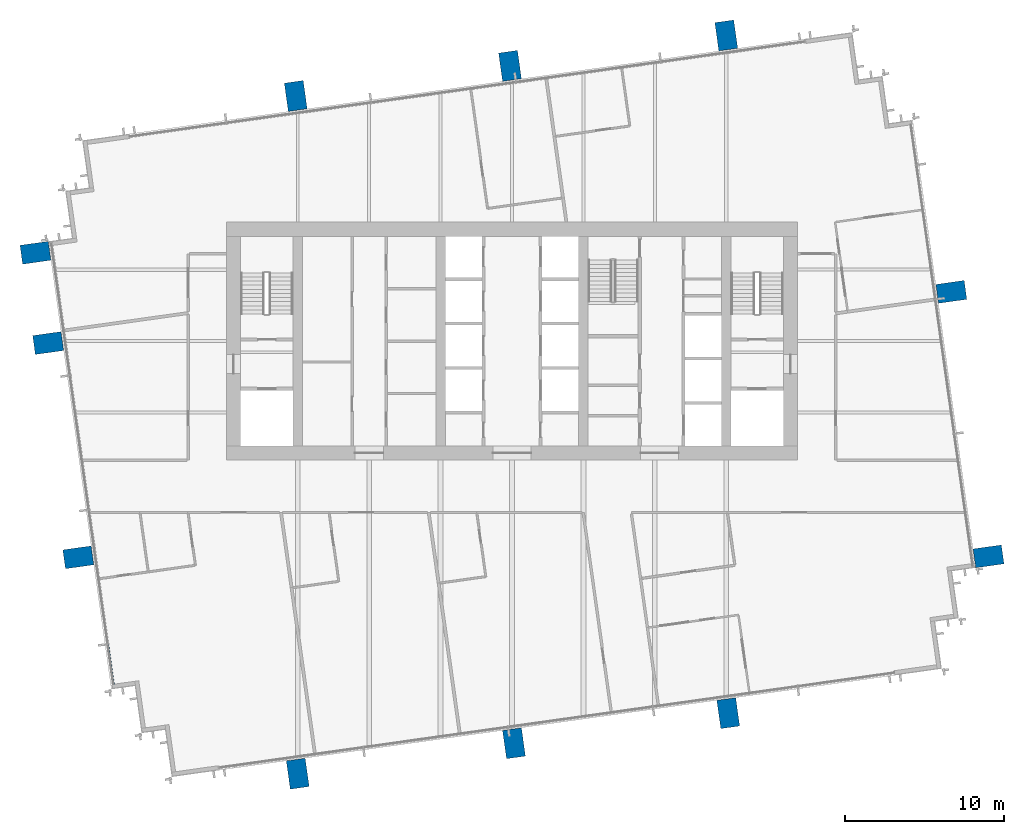
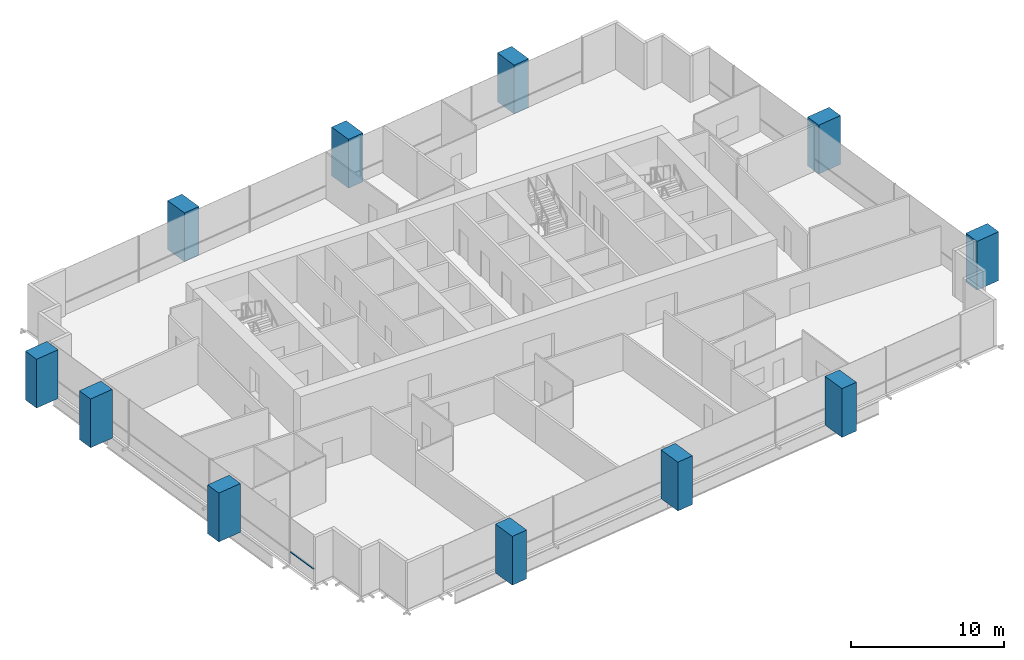
# One storey, part 1 of 14: 11 columns, 1 member, 1 element without a shape of its own.
"""IFC4 building model written with IfcOpenShell, lengths in metres."""

from ifc_helpers import new_model, si_unit, direction, frame, origin, origin_2d, place, context, subcontext, project, spatial, rectangle, extrude, material, material_profile, profile_set, type_object, element, aggregate, save


model = new_model("IFC4")

# Units and contexts
model_context = context("Model", 3, precision=1e-05, world=origin(), true_north=direction((0.0, 1.0)))
body_context = subcontext(model_context, "Body", "Model", "MODEL_VIEW")
ifc_project = project(units=[si_unit("LENGTHUNIT", "METRE"), si_unit("AREAUNIT", "SQUARE_METRE"), si_unit("VOLUMEUNIT", "CUBIC_METRE"), si_unit("PLANEANGLEUNIT", "RADIAN"), si_unit("MASSUNIT", "GRAM", prefix="KILO")], contexts=[model_context])

# Site, building, storey
site_placement = place(None, origin())
site = spatial("IfcSite", under=ifc_project, at=site_placement, CompositionType="ELEMENT")
building_placement = place(site_placement, origin())
building = spatial("IfcBuilding", under=site, at=building_placement, Name="Rattan Terrace Tower", CompositionType="ELEMENT")
storey_placement = place(building_placement, frame((0.0, 0.0, 195.800048828125)))
storey = spatial("IfcBuildingStorey", under=building, at=storey_placement, Name="L45", CompositionType="ELEMENT", Elevation=195.800048828125)

# Columns
ifc_material_1 = material(Name="Concrete C50/60", Category="concrete")
ifc_material_profile_1 = material_profile(ifc_material_1, rectangle(XDim=1.199951171875, YDim=1.800048828125, at=origin_2d()), Name="CFT 1800x1200")
ifc_profile_set_1 = profile_set([ifc_material_profile_1], Name="Concrete C50/60")
column_type = type_object("IfcColumnType", Name="Frame exoskeleton column CFT 1800x1200", PredefinedType="COLUMN", material=ifc_profile_set_1)
for number, where, z_axis, x_axis, name in (
    (1, (-13.5, -27.256103515625, -0.199951171875), (0.0, 0.0, 1.0), (0.99027049762, 0.139155817501, 0.0), "exo-L45-001"),
    (2, (0.125, -25.340087890625, -0.199951171875), (0.0, 0.0, 1.0), (0.99027049762, 0.139155817501, 0.0), "exo-L45-002"),
    (3, (13.625, -23.443115234375, -0.199951171875), (0.0, 0.0, 1.0), (0.99027049762, 0.139155817501, 0.0), "exo-L45-003"),
    (4, (-27.325927734375, -13.625, -0.199951171875), (0.0, 0.0, 1.0), (-0.139190384377, 0.990265639562, 0.0), "exo-L45-004"),
    (5, (30.02392578125, -13.56494140625, -0.199951171875), (0.0, 0.0, 1.0), (-0.139190384377, 0.990265639562, 0.0), "exo-L45-005"),
    (6, (-29.22412109375, -0.125, -0.199951171875), (0.0, 0.0, 1.0), (-0.139190384377, 0.990265639562, 0.0), "exo-L45-006"),
    (7, (27.680908203125, 3.10009765625, -0.199951171875), (0.0, 0.0, 1.0), (-0.139190384377, 0.990265639562, 0.0), "exo-L45-007"),
    (8, (-30.02392578125, 5.56494140625, -0.199951171875), (0.0, 0.0, 1.0), (-0.139190384377, 0.990265639562, 0.0), "exo-L45-008"),
    (9, (-13.625, 15.443115234375, -0.199951171875), (0.0, 0.0, 1.0), (0.99027049762, 0.139155817501, 0.0), "exo-L45-009"),
    (10, (-0.125, 17.340087890625, -0.199951171875), (0.0, 0.0, 1.0), (0.99027049762, 0.139155817501, 0.0), "exo-L45-010"),
    (11, (13.5, 19.256103515625, -0.199951171875), (0.0, 0.0, 1.0), (0.99027049762, 0.139155817501, 0.0), "exo-L45-011"),
):
    element("IfcColumn", number, at=place(storey_placement, frame(where, z_axis=z_axis, x_axis=x_axis)), inside=storey, type_object=column_type, Name=name, PredefinedType="COLUMN", context=body_context, shape_type="SweptSolid", body=[
        extrude(rectangle(XDim=1.199951171875, YDim=1.800048828125, at=origin_2d()), origin(), (0.0, 0.0, 1.0), 3.89990234375),
    ])

# Curtain wall, member
ifc_material_2 = material(Name="Aluminium and glass", Category="aluminium")
curtain_wall_type = type_object("IfcCurtainWallType", Name="Facade Unitised Curtain Wall", PredefinedType="NOTDEFINED", material=ifc_material_2)
curtain_wall_placement = place(storey_placement, origin())
curtain_wall = element("IfcCurtainWall", 12, at=curtain_wall_placement, inside=storey, type_object=curtain_wall_type, Name="Curtain wall L45-3", PredefinedType="NOTDEFINED")
ifc_material_3 = material(Name="Aluminium", Category="aluminium")
ifc_material_profile_2 = material_profile(ifc_material_3, rectangle(XDim=0.1201171875, YDim=0.06005859375, at=origin_2d()), Name="Aluminium 120x60")
ifc_profile_set_2 = profile_set([ifc_material_profile_2], Name="Aluminium")
member_type = type_object("IfcMemberType", Name="Facade CW Transom 120x60", PredefinedType="USERDEFINED", material=ifc_profile_set_2)
member_placement = place(storey_placement, frame((-25.47314453125, -19.122314453125, 1.0), z_axis=(0.139106713562, -0.990277396613, 0.0), x_axis=(0.990277396613, 0.139106713562, 0.0)))
member = element("IfcMember", 13, at=member_placement, type_object=member_type, Name="Transom cwl-L45-003.4", ObjectType="TRANSOM", PredefinedType="USERDEFINED", context=body_context, shape_type="SweptSolid", body=[
    extrude(rectangle(XDim=0.1201171875, YDim=0.06005859375, at=origin_2d()), origin(), (0.0, 0.0, 1.0), 2.525634765625),
])
aggregate(curtain_wall, [member])

save(model, "model.ifc")
